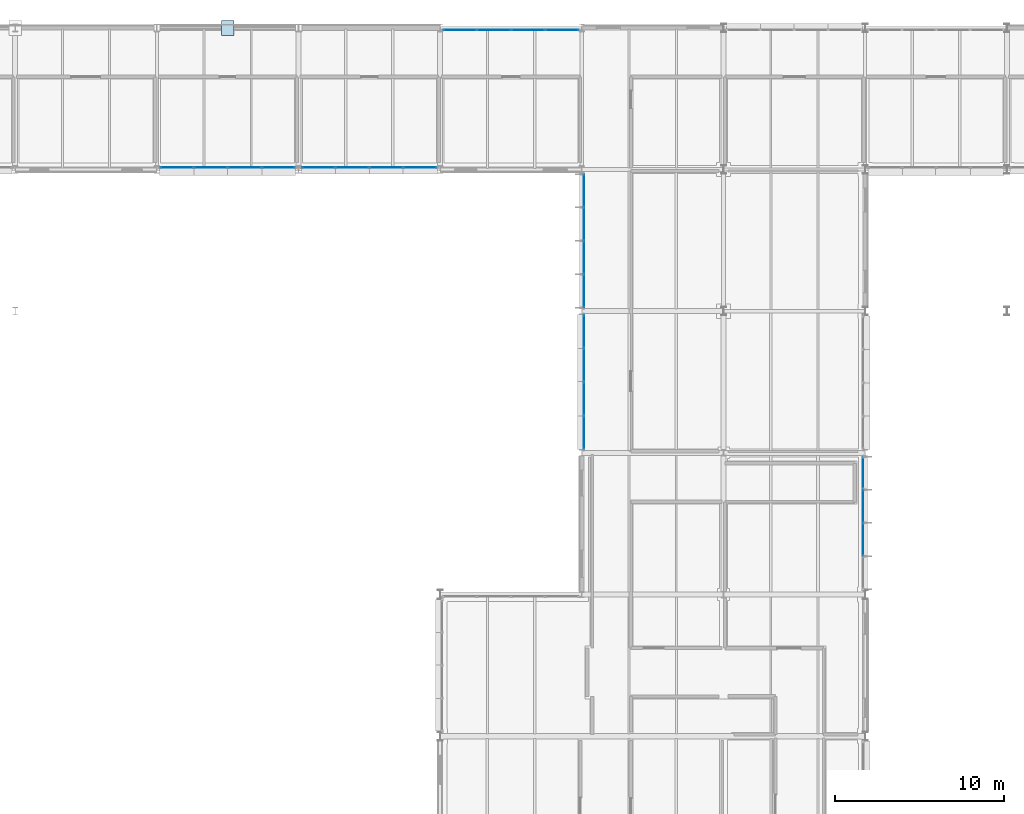
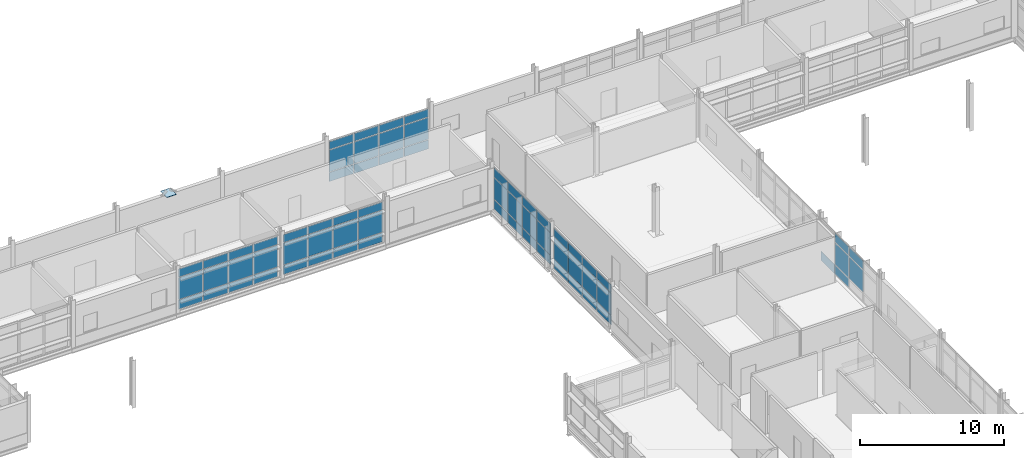
# One storey, part 100 of 131: 67 plates, 6 elements without a shape of their own.
"""IFC4 building model written with IfcOpenShell, lengths in metres."""

from ifc_helpers import new_model, si_unit, direction, frame, origin, origin_2d, place, context, subcontext, project, spatial, rectangle, extrude, material, layer, layer_set, type_object, element, aggregate, save


model = new_model("IFC4")

# Units and contexts
model_context = context("Model", 3, precision=1e-05, world=origin(), true_north=direction((0.0, 1.0)))
body_context = subcontext(model_context, "Body", "Model", "MODEL_VIEW")
ifc_project = project(units=[si_unit("LENGTHUNIT", "METRE"), si_unit("AREAUNIT", "SQUARE_METRE"), si_unit("VOLUMEUNIT", "CUBIC_METRE"), si_unit("PLANEANGLEUNIT", "RADIAN"), si_unit("MASSUNIT", "GRAM", prefix="KILO")], contexts=[model_context])

# Site, building, storey
site_placement = place(None, origin())
site = spatial("IfcSite", under=ifc_project, at=site_placement, CompositionType="ELEMENT")
building_placement = place(site_placement, origin())
building = spatial("IfcBuilding", under=site, at=building_placement, Name="Mersafa Astral City Hall", CompositionType="ELEMENT")
storey_placement = place(building_placement, frame((0.0, 0.0, 13.949951171875)))
storey = spatial("IfcBuildingStorey", under=building, at=storey_placement, Name="L03", CompositionType="ELEMENT", Elevation=13.949951171875)

# Curtain wall, plates
ifc_material_1 = material(Name="Anodised bronze aluminium framing", Category="aluminium")
curtain_wall_type_1 = type_object("IfcCurtainWallType", Name="ENV-CW-1", PredefinedType="USERDEFINED", material=ifc_material_1)
curtain_wall_1_placement = place(storey_placement, origin())
curtain_wall_1 = element("IfcCurtainWall", 1, at=curtain_wall_1_placement, inside=storey, type_object=curtain_wall_type_1, Name="L03 Unitised solar curtain wall 156", ObjectType="UNITISED CURTAIN WALL", PredefinedType="USERDEFINED")
ifc_material_2 = material(Name="Solar control low-e double glazing", Category="glass")
ifc_layer_1 = layer(ifc_material_2, 0.028076171875, Name="Solar control low-e double glazing")
ifc_layer_set_1 = layer_set([ifc_layer_1], Name="Solar control low-e double glazing — ENV-CW-PNL-GLZ-1")
plate_type_1 = type_object("IfcPlateType", Name="ENV-CW-PNL-GLZ-1", PredefinedType="CURTAIN_PANEL", material=ifc_layer_set_1)
plate_1_placement = place(storey_placement, frame((117.47998046875, 95.657470703125, 0.8798828125), z_axis=(0.0, 0.0, 1.0), x_axis=(0.0, 1.0, 0.0)))
plate_1 = element("IfcPlate", 2, at=plate_1_placement, type_object=plate_type_1, Name="CW-1 panel 2.2", PredefinedType="CURTAIN_PANEL", context=body_context, shape_type="SweptSolid", body=[
    extrude(rectangle(XDim=1.920166015625, YDim=0.028076171875, at=origin_2d()), origin(), (0.0, 0.0, 1.0), 1.840087890625),
])
plate_2_placement = place(storey_placement, frame((117.47998046875, 95.657470703125, 2.780029296875), z_axis=(0.0, 0.0, 1.0), x_axis=(0.0, 1.0, 0.0)))
plate_2 = element("IfcPlate", 3, at=plate_2_placement, type_object=plate_type_1, Name="CW-1 panel 2.3", PredefinedType="CURTAIN_PANEL", context=body_context, shape_type="SweptSolid", body=[
    extrude(rectangle(XDim=1.920166015625, YDim=0.028076171875, at=origin_2d()), origin(), (0.0, 0.0, 1.0), 0.751953125),
])
plate_3_placement = place(storey_placement, frame((117.47998046875, 97.6376953125, 0.05810546875), z_axis=(0.0, 0.0, 1.0), x_axis=(0.0, 1.0, 0.0)))
plate_3 = element("IfcPlate", 4, at=plate_3_placement, type_object=plate_type_1, Name="CW-1 panel 3.1", PredefinedType="CURTAIN_PANEL", context=body_context, shape_type="SweptSolid", body=[
    extrude(rectangle(XDim=1.920166015625, YDim=0.028076171875, at=origin_2d()), origin(), (0.0, 0.0, 1.0), 0.761962890625),
])
plate_4_placement = place(storey_placement, frame((117.47998046875, 97.6376953125, 0.8798828125), z_axis=(0.0, 0.0, 1.0), x_axis=(0.0, 1.0, 0.0)))
plate_4 = element("IfcPlate", 5, at=plate_4_placement, type_object=plate_type_1, Name="CW-1 panel 3.2", PredefinedType="CURTAIN_PANEL", context=body_context, shape_type="SweptSolid", body=[
    extrude(rectangle(XDim=1.920166015625, YDim=0.028076171875, at=origin_2d()), origin(), (0.0, 0.0, 1.0), 1.840087890625),
])
plate_5_placement = place(storey_placement, frame((117.47998046875, 97.6376953125, 2.780029296875), z_axis=(0.0, 0.0, 1.0), x_axis=(0.0, 1.0, 0.0)))
plate_5 = element("IfcPlate", 6, at=plate_5_placement, type_object=plate_type_1, Name="CW-1 panel 3.3", PredefinedType="CURTAIN_PANEL", context=body_context, shape_type="SweptSolid", body=[
    extrude(rectangle(XDim=1.920166015625, YDim=0.028076171875, at=origin_2d()), origin(), (0.0, 0.0, 1.0), 0.751953125),
])
plate_6_placement = place(storey_placement, frame((117.47998046875, 99.602783203125, 0.05810546875), z_axis=(0.0, 0.0, 1.0), x_axis=(0.0, 1.0, 0.0)))
plate_6 = element("IfcPlate", 7, at=plate_6_placement, type_object=plate_type_1, Name="CW-1 panel 4.1", PredefinedType="CURTAIN_PANEL", context=body_context, shape_type="SweptSolid", body=[
    extrude(rectangle(XDim=1.89013671875, YDim=0.028076171875, at=origin_2d()), origin(), (0.0, 0.0, 1.0), 0.761962890625),
])
aggregate(curtain_wall_1, [plate_1, plate_2, plate_3, plate_4, plate_5, plate_6])

curtain_wall_2_placement = place(storey_placement, origin())
curtain_wall_2 = element("IfcCurtainWall", 8, at=curtain_wall_2_placement, inside=storey, type_object=curtain_wall_type_1, Name="L03 Unitised solar curtain wall 180", ObjectType="UNITISED CURTAIN WALL", PredefinedType="USERDEFINED")
plate_7_placement = place(storey_placement, frame((76.78662109375, 117.719970703125, 0.05810546875), z_axis=(0.0, 0.0, 1.0), x_axis=(1.0, 0.0, 0.0)))
plate_7 = element("IfcPlate", 9, at=plate_7_placement, type_object=plate_type_1, Name="CW-1 panel 1.1", PredefinedType="CURTAIN_PANEL", context=body_context, shape_type="SweptSolid", body=[
    extrude(rectangle(XDim=1.928955078125, YDim=0.028076171875, at=origin_2d()), origin(), (0.0, 0.0, 1.0), 0.761962890625),
])
plate_8_placement = place(storey_placement, frame((76.78662109375, 117.719970703125, 0.8798828125), z_axis=(0.0, 0.0, 1.0), x_axis=(1.0, 0.0, 0.0)))
plate_8 = element("IfcPlate", 10, at=plate_8_placement, type_object=plate_type_1, Name="CW-1 panel 1.2", PredefinedType="CURTAIN_PANEL", context=body_context, shape_type="SweptSolid", body=[
    extrude(rectangle(XDim=1.928955078125, YDim=0.028076171875, at=origin_2d()), origin(), (0.0, 0.0, 1.0), 1.840087890625),
])
plate_9_placement = place(storey_placement, frame((76.78662109375, 117.719970703125, 2.780029296875), z_axis=(0.0, 0.0, 1.0), x_axis=(1.0, 0.0, 0.0)))
plate_9 = element("IfcPlate", 11, at=plate_9_placement, type_object=plate_type_1, Name="CW-1 panel 1.3", PredefinedType="CURTAIN_PANEL", context=body_context, shape_type="SweptSolid", body=[
    extrude(rectangle(XDim=1.928955078125, YDim=0.028076171875, at=origin_2d()), origin(), (0.0, 0.0, 1.0), 0.69189453125),
])
plate_10_placement = place(storey_placement, frame((78.79052734375, 117.719970703125, 0.05810546875), z_axis=(0.0, 0.0, 1.0), x_axis=(1.0, 0.0, 0.0)))
plate_10 = element("IfcPlate", 12, at=plate_10_placement, type_object=plate_type_1, Name="CW-1 panel 2.1", PredefinedType="CURTAIN_PANEL", context=body_context, shape_type="SweptSolid", body=[
    extrude(rectangle(XDim=1.958984375, YDim=0.028076171875, at=origin_2d()), origin(), (0.0, 0.0, 1.0), 0.761962890625),
])
plate_11_placement = place(storey_placement, frame((78.79052734375, 117.719970703125, 0.8798828125), z_axis=(0.0, 0.0, 1.0), x_axis=(1.0, 0.0, 0.0)))
plate_11 = element("IfcPlate", 13, at=plate_11_placement, type_object=plate_type_1, Name="CW-1 panel 2.2", PredefinedType="CURTAIN_PANEL", context=body_context, shape_type="SweptSolid", body=[
    extrude(rectangle(XDim=1.958984375, YDim=0.028076171875, at=origin_2d()), origin(), (0.0, 0.0, 1.0), 1.840087890625),
])
plate_12_placement = place(storey_placement, frame((78.79052734375, 117.719970703125, 2.780029296875), z_axis=(0.0, 0.0, 1.0), x_axis=(1.0, 0.0, 0.0)))
plate_12 = element("IfcPlate", 14, at=plate_12_placement, type_object=plate_type_1, Name="CW-1 panel 2.3", PredefinedType="CURTAIN_PANEL", context=body_context, shape_type="SweptSolid", body=[
    extrude(rectangle(XDim=1.958984375, YDim=0.028076171875, at=origin_2d()), origin(), (0.0, 0.0, 1.0), 0.69189453125),
])
plate_13_placement = place(storey_placement, frame((80.8095703125, 117.719970703125, 0.05810546875), z_axis=(0.0, 0.0, 1.0), x_axis=(1.0, 0.0, 0.0)))
plate_13 = element("IfcPlate", 15, at=plate_13_placement, type_object=plate_type_1, Name="CW-1 panel 3.1", PredefinedType="CURTAIN_PANEL", context=body_context, shape_type="SweptSolid", body=[
    extrude(rectangle(XDim=1.958984375, YDim=0.028076171875, at=origin_2d()), origin(), (0.0, 0.0, 1.0), 0.761962890625),
])
plate_14_placement = place(storey_placement, frame((80.8095703125, 117.719970703125, 0.8798828125), z_axis=(0.0, 0.0, 1.0), x_axis=(1.0, 0.0, 0.0)))
plate_14 = element("IfcPlate", 16, at=plate_14_placement, type_object=plate_type_1, Name="CW-1 panel 3.2", PredefinedType="CURTAIN_PANEL", context=body_context, shape_type="SweptSolid", body=[
    extrude(rectangle(XDim=1.958984375, YDim=0.028076171875, at=origin_2d()), origin(), (0.0, 0.0, 1.0), 1.840087890625),
])
plate_15_placement = place(storey_placement, frame((80.8095703125, 117.719970703125, 2.780029296875), z_axis=(0.0, 0.0, 1.0), x_axis=(1.0, 0.0, 0.0)))
plate_15 = element("IfcPlate", 17, at=plate_15_placement, type_object=plate_type_1, Name="CW-1 panel 3.3", PredefinedType="CURTAIN_PANEL", context=body_context, shape_type="SweptSolid", body=[
    extrude(rectangle(XDim=1.958984375, YDim=0.028076171875, at=origin_2d()), origin(), (0.0, 0.0, 1.0), 0.69189453125),
])
plate_16_placement = place(storey_placement, frame((82.8134765625, 117.719970703125, 0.05810546875), z_axis=(0.0, 0.0, 1.0), x_axis=(1.0, 0.0, 0.0)))
plate_16 = element("IfcPlate", 18, at=plate_16_placement, type_object=plate_type_1, Name="CW-1 panel 4.1", PredefinedType="CURTAIN_PANEL", context=body_context, shape_type="SweptSolid", body=[
    extrude(rectangle(XDim=1.928955078125, YDim=0.028076171875, at=origin_2d()), origin(), (0.0, 0.0, 1.0), 0.761962890625),
])
plate_17_placement = place(storey_placement, frame((82.8134765625, 117.719970703125, 0.8798828125), z_axis=(0.0, 0.0, 1.0), x_axis=(1.0, 0.0, 0.0)))
plate_17 = element("IfcPlate", 19, at=plate_17_placement, type_object=plate_type_1, Name="CW-1 panel 4.2", PredefinedType="CURTAIN_PANEL", context=body_context, shape_type="SweptSolid", body=[
    extrude(rectangle(XDim=1.928955078125, YDim=0.028076171875, at=origin_2d()), origin(), (0.0, 0.0, 1.0), 1.840087890625),
])
plate_18_placement = place(storey_placement, frame((82.8134765625, 117.719970703125, 2.780029296875), z_axis=(0.0, 0.0, 1.0), x_axis=(1.0, 0.0, 0.0)))
plate_18 = element("IfcPlate", 20, at=plate_18_placement, type_object=plate_type_1, Name="CW-1 panel 4.3", PredefinedType="CURTAIN_PANEL", context=body_context, shape_type="SweptSolid", body=[
    extrude(rectangle(XDim=1.928955078125, YDim=0.028076171875, at=origin_2d()), origin(), (0.0, 0.0, 1.0), 0.69189453125),
])
aggregate(curtain_wall_2, [plate_7, plate_8, plate_9, plate_10, plate_11, plate_12, plate_13, plate_14, plate_15, plate_16, plate_17, plate_18])

curtain_wall_type_2 = type_object("IfcCurtainWallType", Name="ENV-CW-2", PredefinedType="USERDEFINED", material=ifc_material_1)
curtain_wall_3_placement = place(storey_placement, origin())
curtain_wall_3 = element("IfcCurtainWall", 21, at=curtain_wall_3_placement, inside=storey, type_object=curtain_wall_type_2, Name="L03 Unitised solar curtain wall 181", ObjectType="UNITISED CURTAIN WALL", PredefinedType="USERDEFINED")
ifc_layer_2 = layer(ifc_material_2, 0.031982421875, Name="Solar control low-e double glazing")
ifc_layer_set_2 = layer_set([ifc_layer_2], Name="Solar control low-e double glazing — ENV-CW-PNL-GLZ-2")
plate_type_2 = type_object("IfcPlateType", Name="ENV-CW-PNL-GLZ-2", PredefinedType="CURTAIN_PANEL", material=ifc_layer_set_2)
plate_19_placement = place(storey_placement, frame((85.1865234375, 117.719970703125, 0.05810546875), z_axis=(0.0, 0.0, 1.0), x_axis=(1.0, 0.0, 0.0)))
plate_19 = element("IfcPlate", 22, at=plate_19_placement, type_object=plate_type_2, Name="CW-2 panel 1.1", PredefinedType="CURTAIN_PANEL", context=body_context, shape_type="SweptSolid", body=[
    extrude(rectangle(XDim=1.928955078125, YDim=0.031982421875, at=origin_2d()), origin(), (0.0, 0.0, 1.0), 0.761962890625),
])
plate_20_placement = place(storey_placement, frame((85.1865234375, 117.719970703125, 0.8798828125), z_axis=(0.0, 0.0, 1.0), x_axis=(1.0, 0.0, 0.0)))
plate_20 = element("IfcPlate", 23, at=plate_20_placement, type_object=plate_type_2, Name="CW-2 panel 1.2", PredefinedType="CURTAIN_PANEL", context=body_context, shape_type="SweptSolid", body=[
    extrude(rectangle(XDim=1.928955078125, YDim=0.031982421875, at=origin_2d()), origin(), (0.0, 0.0, 1.0), 1.840087890625),
])
plate_21_placement = place(storey_placement, frame((85.1865234375, 117.719970703125, 2.780029296875), z_axis=(0.0, 0.0, 1.0), x_axis=(1.0, 0.0, 0.0)))
plate_21 = element("IfcPlate", 24, at=plate_21_placement, type_object=plate_type_2, Name="CW-2 panel 1.3", PredefinedType="CURTAIN_PANEL", context=body_context, shape_type="SweptSolid", body=[
    extrude(rectangle(XDim=1.928955078125, YDim=0.031982421875, at=origin_2d()), origin(), (0.0, 0.0, 1.0), 0.662109375),
])
plate_22_placement = place(storey_placement, frame((87.1904296875, 117.719970703125, 0.05810546875), z_axis=(0.0, 0.0, 1.0), x_axis=(1.0, 0.0, 0.0)))
plate_22 = element("IfcPlate", 25, at=plate_22_placement, type_object=plate_type_2, Name="CW-2 panel 2.1", PredefinedType="CURTAIN_PANEL", context=body_context, shape_type="SweptSolid", body=[
    extrude(rectangle(XDim=1.958984375, YDim=0.031982421875, at=origin_2d()), origin(), (0.0, 0.0, 1.0), 0.761962890625),
])
plate_23_placement = place(storey_placement, frame((87.1904296875, 117.719970703125, 0.8798828125), z_axis=(0.0, 0.0, 1.0), x_axis=(1.0, 0.0, 0.0)))
plate_23 = element("IfcPlate", 26, at=plate_23_placement, type_object=plate_type_2, Name="CW-2 panel 2.2", PredefinedType="CURTAIN_PANEL", context=body_context, shape_type="SweptSolid", body=[
    extrude(rectangle(XDim=1.958984375, YDim=0.031982421875, at=origin_2d()), origin(), (0.0, 0.0, 1.0), 1.840087890625),
])
plate_24_placement = place(storey_placement, frame((87.1904296875, 117.719970703125, 2.780029296875), z_axis=(0.0, 0.0, 1.0), x_axis=(1.0, 0.0, 0.0)))
plate_24 = element("IfcPlate", 27, at=plate_24_placement, type_object=plate_type_2, Name="CW-2 panel 2.3", PredefinedType="CURTAIN_PANEL", context=body_context, shape_type="SweptSolid", body=[
    extrude(rectangle(XDim=1.958984375, YDim=0.031982421875, at=origin_2d()), origin(), (0.0, 0.0, 1.0), 0.662109375),
])
plate_25_placement = place(storey_placement, frame((89.20947265625, 117.719970703125, 0.05810546875), z_axis=(0.0, 0.0, 1.0), x_axis=(1.0, 0.0, 0.0)))
plate_25 = element("IfcPlate", 28, at=plate_25_placement, type_object=plate_type_2, Name="CW-2 panel 3.1", PredefinedType="CURTAIN_PANEL", context=body_context, shape_type="SweptSolid", body=[
    extrude(rectangle(XDim=1.958984375, YDim=0.031982421875, at=origin_2d()), origin(), (0.0, 0.0, 1.0), 0.761962890625),
])
plate_26_placement = place(storey_placement, frame((89.20947265625, 117.719970703125, 0.8798828125), z_axis=(0.0, 0.0, 1.0), x_axis=(1.0, 0.0, 0.0)))
plate_26 = element("IfcPlate", 29, at=plate_26_placement, type_object=plate_type_2, Name="CW-2 panel 3.2", PredefinedType="CURTAIN_PANEL", context=body_context, shape_type="SweptSolid", body=[
    extrude(rectangle(XDim=1.958984375, YDim=0.031982421875, at=origin_2d()), origin(), (0.0, 0.0, 1.0), 1.840087890625),
])
plate_27_placement = place(storey_placement, frame((89.20947265625, 117.719970703125, 2.780029296875), z_axis=(0.0, 0.0, 1.0), x_axis=(1.0, 0.0, 0.0)))
plate_27 = element("IfcPlate", 30, at=plate_27_placement, type_object=plate_type_2, Name="CW-2 panel 3.3", PredefinedType="CURTAIN_PANEL", context=body_context, shape_type="SweptSolid", body=[
    extrude(rectangle(XDim=1.958984375, YDim=0.031982421875, at=origin_2d()), origin(), (0.0, 0.0, 1.0), 0.662109375),
])
plate_28_placement = place(storey_placement, frame((91.21337890625, 117.719970703125, 0.05810546875), z_axis=(0.0, 0.0, 1.0), x_axis=(1.0, 0.0, 0.0)))
plate_28 = element("IfcPlate", 31, at=plate_28_placement, type_object=plate_type_2, Name="CW-2 panel 4.1", PredefinedType="CURTAIN_PANEL", context=body_context, shape_type="SweptSolid", body=[
    extrude(rectangle(XDim=1.928955078125, YDim=0.031982421875, at=origin_2d()), origin(), (0.0, 0.0, 1.0), 0.761962890625),
])
plate_29_placement = place(storey_placement, frame((91.21337890625, 117.719970703125, 0.8798828125), z_axis=(0.0, 0.0, 1.0), x_axis=(1.0, 0.0, 0.0)))
plate_29 = element("IfcPlate", 32, at=plate_29_placement, type_object=plate_type_2, Name="CW-2 panel 4.2", PredefinedType="CURTAIN_PANEL", context=body_context, shape_type="SweptSolid", body=[
    extrude(rectangle(XDim=1.928955078125, YDim=0.031982421875, at=origin_2d()), origin(), (0.0, 0.0, 1.0), 1.840087890625),
])
plate_30_placement = place(storey_placement, frame((91.21337890625, 117.719970703125, 2.780029296875), z_axis=(0.0, 0.0, 1.0), x_axis=(1.0, 0.0, 0.0)))
plate_30 = element("IfcPlate", 33, at=plate_30_placement, type_object=plate_type_2, Name="CW-2 panel 4.3", PredefinedType="CURTAIN_PANEL", context=body_context, shape_type="SweptSolid", body=[
    extrude(rectangle(XDim=1.928955078125, YDim=0.031982421875, at=origin_2d()), origin(), (0.0, 0.0, 1.0), 0.662109375),
])
aggregate(curtain_wall_3, [plate_19, plate_20, plate_21, plate_22, plate_23, plate_24, plate_25, plate_26, plate_27, plate_28, plate_29, plate_30])

curtain_wall_type_3 = type_object("IfcCurtainWallType", Name="ENV-CW-3", PredefinedType="USERDEFINED", material=ifc_material_1)
curtain_wall_4_placement = place(storey_placement, origin())
curtain_wall_4 = element("IfcCurtainWall", 34, at=curtain_wall_4_placement, inside=storey, type_object=curtain_wall_type_3, Name="L03 Unitised solar curtain wall 170", ObjectType="UNITISED CURTAIN WALL", PredefinedType="USERDEFINED")
ifc_layer_3 = layer(ifc_material_2, 0.035888671875, Name="Solar control low-e double glazing")
ifc_layer_set_3 = layer_set([ifc_layer_3], Name="Solar control low-e double glazing — ENV-CW-PNL-GLZ-3")
plate_type_3 = type_object("IfcPlateType", Name="ENV-CW-PNL-GLZ-3", PredefinedType="CURTAIN_PANEL", material=ifc_layer_set_3)
plate_31_placement = place(storey_placement, frame((99.613525390625, 125.8798828125, 0.05810546875), z_axis=(0.0, 0.0, 1.0), x_axis=(-1.0, 0.0, 0.0)))
plate_31 = element("IfcPlate", 35, at=plate_31_placement, type_object=plate_type_3, Name="CW-3 panel 1.1", PredefinedType="CURTAIN_PANEL", context=body_context, shape_type="SweptSolid", body=[
    extrude(rectangle(XDim=1.928955078125, YDim=0.035888671875, at=origin_2d()), origin(), (0.0, 0.0, 1.0), 0.761962890625),
])
plate_32_placement = place(storey_placement, frame((99.613525390625, 125.8798828125, 0.8798828125), z_axis=(0.0, 0.0, 1.0), x_axis=(-1.0, 0.0, 0.0)))
plate_32 = element("IfcPlate", 36, at=plate_32_placement, type_object=plate_type_3, Name="CW-3 panel 1.2", PredefinedType="CURTAIN_PANEL", context=body_context, shape_type="SweptSolid", body=[
    extrude(rectangle(XDim=1.928955078125, YDim=0.035888671875, at=origin_2d()), origin(), (0.0, 0.0, 1.0), 1.840087890625),
])
plate_33_placement = place(storey_placement, frame((99.613525390625, 125.8798828125, 2.780029296875), z_axis=(0.0, 0.0, 1.0), x_axis=(-1.0, 0.0, 0.0)))
plate_33 = element("IfcPlate", 37, at=plate_33_placement, type_object=plate_type_3, Name="CW-3 panel 1.3", PredefinedType="CURTAIN_PANEL", context=body_context, shape_type="SweptSolid", body=[
    extrude(rectangle(XDim=1.928955078125, YDim=0.035888671875, at=origin_2d()), origin(), (0.0, 0.0, 1.0), 0.662109375),
])
plate_34_placement = place(storey_placement, frame((97.609619140625, 125.8798828125, 0.05810546875), z_axis=(0.0, 0.0, 1.0), x_axis=(-1.0, 0.0, 0.0)))
plate_34 = element("IfcPlate", 38, at=plate_34_placement, type_object=plate_type_3, Name="CW-3 panel 2.1", PredefinedType="CURTAIN_PANEL", context=body_context, shape_type="SweptSolid", body=[
    extrude(rectangle(XDim=1.958984375, YDim=0.035888671875, at=origin_2d()), origin(), (0.0, 0.0, 1.0), 0.761962890625),
])
plate_35_placement = place(storey_placement, frame((97.609619140625, 125.8798828125, 0.8798828125), z_axis=(0.0, 0.0, 1.0), x_axis=(-1.0, 0.0, 0.0)))
plate_35 = element("IfcPlate", 39, at=plate_35_placement, type_object=plate_type_3, Name="CW-3 panel 2.2", PredefinedType="CURTAIN_PANEL", context=body_context, shape_type="SweptSolid", body=[
    extrude(rectangle(XDim=1.958984375, YDim=0.035888671875, at=origin_2d()), origin(), (0.0, 0.0, 1.0), 1.840087890625),
])
plate_36_placement = place(storey_placement, frame((97.609619140625, 125.8798828125, 2.780029296875), z_axis=(0.0, 0.0, 1.0), x_axis=(-1.0, 0.0, 0.0)))
plate_36 = element("IfcPlate", 40, at=plate_36_placement, type_object=plate_type_3, Name="CW-3 panel 2.3", PredefinedType="CURTAIN_PANEL", context=body_context, shape_type="SweptSolid", body=[
    extrude(rectangle(XDim=1.958984375, YDim=0.035888671875, at=origin_2d()), origin(), (0.0, 0.0, 1.0), 0.662109375),
])
plate_37_placement = place(storey_placement, frame((95.590576171875, 125.8798828125, 0.05810546875), z_axis=(0.0, 0.0, 1.0), x_axis=(-1.0, 0.0, 0.0)))
plate_37 = element("IfcPlate", 41, at=plate_37_placement, type_object=plate_type_3, Name="CW-3 panel 3.1", PredefinedType="CURTAIN_PANEL", context=body_context, shape_type="SweptSolid", body=[
    extrude(rectangle(XDim=1.958984375, YDim=0.035888671875, at=origin_2d()), origin(), (0.0, 0.0, 1.0), 0.761962890625),
])
plate_38_placement = place(storey_placement, frame((95.590576171875, 125.8798828125, 0.8798828125), z_axis=(0.0, 0.0, 1.0), x_axis=(-1.0, 0.0, 0.0)))
plate_38 = element("IfcPlate", 42, at=plate_38_placement, type_object=plate_type_3, Name="CW-3 panel 3.2", PredefinedType="CURTAIN_PANEL", context=body_context, shape_type="SweptSolid", body=[
    extrude(rectangle(XDim=1.958984375, YDim=0.035888671875, at=origin_2d()), origin(), (0.0, 0.0, 1.0), 1.840087890625),
])
plate_39_placement = place(storey_placement, frame((95.590576171875, 125.8798828125, 2.780029296875), z_axis=(0.0, 0.0, 1.0), x_axis=(-1.0, 0.0, 0.0)))
plate_39 = element("IfcPlate", 43, at=plate_39_placement, type_object=plate_type_3, Name="CW-3 panel 3.3", PredefinedType="CURTAIN_PANEL", context=body_context, shape_type="SweptSolid", body=[
    extrude(rectangle(XDim=1.958984375, YDim=0.035888671875, at=origin_2d()), origin(), (0.0, 0.0, 1.0), 0.662109375),
])
plate_40_placement = place(storey_placement, frame((93.58642578125, 125.8798828125, 0.05810546875), z_axis=(0.0, 0.0, 1.0), x_axis=(-1.0, 0.0, 0.0)))
plate_40 = element("IfcPlate", 44, at=plate_40_placement, type_object=plate_type_3, Name="CW-3 panel 4.1", PredefinedType="CURTAIN_PANEL", context=body_context, shape_type="SweptSolid", body=[
    extrude(rectangle(XDim=1.928955078125, YDim=0.035888671875, at=origin_2d()), origin(), (0.0, 0.0, 1.0), 0.761962890625),
])
plate_41_placement = place(storey_placement, frame((93.58642578125, 125.8798828125, 0.8798828125), z_axis=(0.0, 0.0, 1.0), x_axis=(-1.0, 0.0, 0.0)))
plate_41 = element("IfcPlate", 45, at=plate_41_placement, type_object=plate_type_3, Name="CW-3 panel 4.2", PredefinedType="CURTAIN_PANEL", context=body_context, shape_type="SweptSolid", body=[
    extrude(rectangle(XDim=1.928955078125, YDim=0.035888671875, at=origin_2d()), origin(), (0.0, 0.0, 1.0), 1.840087890625),
])
plate_42_placement = place(storey_placement, frame((93.58642578125, 125.8798828125, 2.780029296875), z_axis=(0.0, 0.0, 1.0), x_axis=(-1.0, 0.0, 0.0)))
plate_42 = element("IfcPlate", 46, at=plate_42_placement, type_object=plate_type_3, Name="CW-3 panel 4.3", PredefinedType="CURTAIN_PANEL", context=body_context, shape_type="SweptSolid", body=[
    extrude(rectangle(XDim=1.928955078125, YDim=0.035888671875, at=origin_2d()), origin(), (0.0, 0.0, 1.0), 0.662109375),
])
aggregate(curtain_wall_4, [plate_31, plate_32, plate_33, plate_34, plate_35, plate_36, plate_37, plate_38, plate_39, plate_40, plate_41, plate_42])

curtain_wall_5_placement = place(storey_placement, origin())
curtain_wall_5 = element("IfcCurtainWall", 47, at=curtain_wall_5_placement, inside=storey, type_object=curtain_wall_type_3, Name="L03 Unitised solar curtain wall 182", ObjectType="UNITISED CURTAIN WALL", PredefinedType="USERDEFINED")
plate_43_placement = place(storey_placement, frame((100.919921875, 116.350341796875, 0.05810546875), z_axis=(0.0, 0.0, 1.0), x_axis=(0.0, -1.0, 0.0)))
plate_43 = element("IfcPlate", 48, at=plate_43_placement, type_object=plate_type_3, Name="CW-3 panel 1.1", PredefinedType="CURTAIN_PANEL", context=body_context, shape_type="SweptSolid", body=[
    extrude(rectangle(XDim=1.9052734375, YDim=0.035888671875, at=origin_2d()), origin(), (0.0, 0.0, 1.0), 0.761962890625),
])
plate_44_placement = place(storey_placement, frame((100.919921875, 116.350341796875, 0.8798828125), z_axis=(0.0, 0.0, 1.0), x_axis=(0.0, -1.0, 0.0)))
plate_44 = element("IfcPlate", 49, at=plate_44_placement, type_object=plate_type_3, Name="CW-3 panel 1.2", PredefinedType="CURTAIN_PANEL", context=body_context, shape_type="SweptSolid", body=[
    extrude(rectangle(XDim=1.9052734375, YDim=0.035888671875, at=origin_2d()), origin(), (0.0, 0.0, 1.0), 1.840087890625),
])
plate_45_placement = place(storey_placement, frame((100.919921875, 116.350341796875, 2.780029296875), z_axis=(0.0, 0.0, 1.0), x_axis=(0.0, -1.0, 0.0)))
plate_45 = element("IfcPlate", 50, at=plate_45_placement, type_object=plate_type_3, Name="CW-3 panel 1.3", PredefinedType="CURTAIN_PANEL", context=body_context, shape_type="SweptSolid", body=[
    extrude(rectangle(XDim=1.9052734375, YDim=0.035888671875, at=origin_2d()), origin(), (0.0, 0.0, 1.0), 0.751953125),
])
plate_46_placement = place(storey_placement, frame((100.919921875, 114.3701171875, 0.05810546875), z_axis=(0.0, 0.0, 1.0), x_axis=(0.0, -1.0, 0.0)))
plate_46 = element("IfcPlate", 51, at=plate_46_placement, type_object=plate_type_3, Name="CW-3 panel 2.1", PredefinedType="CURTAIN_PANEL", context=body_context, shape_type="SweptSolid", body=[
    extrude(rectangle(XDim=1.935302734375, YDim=0.035888671875, at=origin_2d()), origin(), (0.0, 0.0, 1.0), 0.761962890625),
])
plate_47_placement = place(storey_placement, frame((100.919921875, 114.3701171875, 0.8798828125), z_axis=(0.0, 0.0, 1.0), x_axis=(0.0, -1.0, 0.0)))
plate_47 = element("IfcPlate", 52, at=plate_47_placement, type_object=plate_type_3, Name="CW-3 panel 2.2", PredefinedType="CURTAIN_PANEL", context=body_context, shape_type="SweptSolid", body=[
    extrude(rectangle(XDim=1.935302734375, YDim=0.035888671875, at=origin_2d()), origin(), (0.0, 0.0, 1.0), 1.840087890625),
])
plate_48_placement = place(storey_placement, frame((100.919921875, 114.3701171875, 2.780029296875), z_axis=(0.0, 0.0, 1.0), x_axis=(0.0, -1.0, 0.0)))
plate_48 = element("IfcPlate", 53, at=plate_48_placement, type_object=plate_type_3, Name="CW-3 panel 2.3", PredefinedType="CURTAIN_PANEL", context=body_context, shape_type="SweptSolid", body=[
    extrude(rectangle(XDim=1.935302734375, YDim=0.035888671875, at=origin_2d()), origin(), (0.0, 0.0, 1.0), 0.751953125),
])
plate_49_placement = place(storey_placement, frame((100.919921875, 112.374755859375, 0.05810546875), z_axis=(0.0, 0.0, 1.0), x_axis=(0.0, -1.0, 0.0)))
plate_49 = element("IfcPlate", 54, at=plate_49_placement, type_object=plate_type_3, Name="CW-3 panel 3.1", PredefinedType="CURTAIN_PANEL", context=body_context, shape_type="SweptSolid", body=[
    extrude(rectangle(XDim=1.935302734375, YDim=0.035888671875, at=origin_2d()), origin(), (0.0, 0.0, 1.0), 0.761962890625),
])
plate_50_placement = place(storey_placement, frame((100.919921875, 112.374755859375, 0.8798828125), z_axis=(0.0, 0.0, 1.0), x_axis=(0.0, -1.0, 0.0)))
plate_50 = element("IfcPlate", 55, at=plate_50_placement, type_object=plate_type_3, Name="CW-3 panel 3.2", PredefinedType="CURTAIN_PANEL", context=body_context, shape_type="SweptSolid", body=[
    extrude(rectangle(XDim=1.935302734375, YDim=0.035888671875, at=origin_2d()), origin(), (0.0, 0.0, 1.0), 1.840087890625),
])
plate_51_placement = place(storey_placement, frame((100.919921875, 112.374755859375, 2.780029296875), z_axis=(0.0, 0.0, 1.0), x_axis=(0.0, -1.0, 0.0)))
plate_51 = element("IfcPlate", 56, at=plate_51_placement, type_object=plate_type_3, Name="CW-3 panel 3.3", PredefinedType="CURTAIN_PANEL", context=body_context, shape_type="SweptSolid", body=[
    extrude(rectangle(XDim=1.935302734375, YDim=0.035888671875, at=origin_2d()), origin(), (0.0, 0.0, 1.0), 0.751953125),
])
plate_52_placement = place(storey_placement, frame((100.919921875, 110.39453125, 0.05810546875), z_axis=(0.0, 0.0, 1.0), x_axis=(0.0, -1.0, 0.0)))
plate_52 = element("IfcPlate", 57, at=plate_52_placement, type_object=plate_type_3, Name="CW-3 panel 4.1", PredefinedType="CURTAIN_PANEL", context=body_context, shape_type="SweptSolid", body=[
    extrude(rectangle(XDim=1.9052734375, YDim=0.035888671875, at=origin_2d()), origin(), (0.0, 0.0, 1.0), 0.761962890625),
])
plate_53_placement = place(storey_placement, frame((100.919921875, 110.39453125, 0.8798828125), z_axis=(0.0, 0.0, 1.0), x_axis=(0.0, -1.0, 0.0)))
plate_53 = element("IfcPlate", 58, at=plate_53_placement, type_object=plate_type_3, Name="CW-3 panel 4.2", PredefinedType="CURTAIN_PANEL", context=body_context, shape_type="SweptSolid", body=[
    extrude(rectangle(XDim=1.9052734375, YDim=0.035888671875, at=origin_2d()), origin(), (0.0, 0.0, 1.0), 1.840087890625),
])
plate_54_placement = place(storey_placement, frame((100.919921875, 110.39453125, 2.780029296875), z_axis=(0.0, 0.0, 1.0), x_axis=(0.0, -1.0, 0.0)))
plate_54 = element("IfcPlate", 59, at=plate_54_placement, type_object=plate_type_3, Name="CW-3 panel 4.3", PredefinedType="CURTAIN_PANEL", context=body_context, shape_type="SweptSolid", body=[
    extrude(rectangle(XDim=1.9052734375, YDim=0.035888671875, at=origin_2d()), origin(), (0.0, 0.0, 1.0), 0.751953125),
])
aggregate(curtain_wall_5, [plate_43, plate_44, plate_45, plate_46, plate_47, plate_48, plate_49, plate_50, plate_51, plate_52, plate_53, plate_54])

curtain_wall_type_4 = type_object("IfcCurtainWallType", Name="ENV-CW-4", PredefinedType="USERDEFINED", material=ifc_material_1)
curtain_wall_6_placement = place(storey_placement, origin())
curtain_wall_6 = element("IfcCurtainWall", 60, at=curtain_wall_6_placement, inside=storey, type_object=curtain_wall_type_4, Name="L03 Unitised solar curtain wall 183", ObjectType="UNITISED CURTAIN WALL", PredefinedType="USERDEFINED")
ifc_layer_4 = layer(ifc_material_2, 0.0400390625, Name="Solar control low-e double glazing")
ifc_layer_set_4 = layer_set([ifc_layer_4], Name="Solar control low-e double glazing — ENV-CW-PNL-GLZ-4")
plate_type_4 = type_object("IfcPlateType", Name="ENV-CW-PNL-GLZ-4", PredefinedType="CURTAIN_PANEL", material=ifc_layer_set_4)
plate_55_placement = place(storey_placement, frame((100.919921875, 107.999755859375, 0.05810546875), z_axis=(0.0, 0.0, 1.0), x_axis=(0.0, -1.0, 0.0)))
plate_55 = element("IfcPlate", 61, at=plate_55_placement, type_object=plate_type_4, Name="CW-4 panel 1.1", PredefinedType="CURTAIN_PANEL", context=body_context, shape_type="SweptSolid", body=[
    extrude(rectangle(XDim=1.91650390625, YDim=0.0400390625, at=origin_2d()), origin(), (0.0, 0.0, 1.0), 0.761962890625),
])
plate_56_placement = place(storey_placement, frame((100.919921875, 107.999755859375, 0.8798828125), z_axis=(0.0, 0.0, 1.0), x_axis=(0.0, -1.0, 0.0)))
plate_56 = element("IfcPlate", 62, at=plate_56_placement, type_object=plate_type_4, Name="CW-4 panel 1.2", PredefinedType="CURTAIN_PANEL", context=body_context, shape_type="SweptSolid", body=[
    extrude(rectangle(XDim=1.91650390625, YDim=0.0400390625, at=origin_2d()), origin(), (0.0, 0.0, 1.0), 1.840087890625),
])
plate_57_placement = place(storey_placement, frame((100.919921875, 107.999755859375, 2.780029296875), z_axis=(0.0, 0.0, 1.0), x_axis=(0.0, -1.0, 0.0)))
plate_57 = element("IfcPlate", 63, at=plate_57_placement, type_object=plate_type_4, Name="CW-4 panel 1.3", PredefinedType="CURTAIN_PANEL", context=body_context, shape_type="SweptSolid", body=[
    extrude(rectangle(XDim=1.91650390625, YDim=0.0400390625, at=origin_2d()), origin(), (0.0, 0.0, 1.0), 0.662109375),
])
plate_58_placement = place(storey_placement, frame((100.919921875, 106.00830078125, 0.05810546875), z_axis=(0.0, 0.0, 1.0), x_axis=(0.0, -1.0, 0.0)))
plate_58 = element("IfcPlate", 64, at=plate_58_placement, type_object=plate_type_4, Name="CW-4 panel 2.1", PredefinedType="CURTAIN_PANEL", context=body_context, shape_type="SweptSolid", body=[
    extrude(rectangle(XDim=1.946533203125, YDim=0.0400390625, at=origin_2d()), origin(), (0.0, 0.0, 1.0), 0.761962890625),
])
plate_59_placement = place(storey_placement, frame((100.919921875, 106.00830078125, 0.8798828125), z_axis=(0.0, 0.0, 1.0), x_axis=(0.0, -1.0, 0.0)))
plate_59 = element("IfcPlate", 65, at=plate_59_placement, type_object=plate_type_4, Name="CW-4 panel 2.2", PredefinedType="CURTAIN_PANEL", context=body_context, shape_type="SweptSolid", body=[
    extrude(rectangle(XDim=1.946533203125, YDim=0.0400390625, at=origin_2d()), origin(), (0.0, 0.0, 1.0), 1.840087890625),
])
plate_60_placement = place(storey_placement, frame((100.919921875, 106.00830078125, 2.780029296875), z_axis=(0.0, 0.0, 1.0), x_axis=(0.0, -1.0, 0.0)))
plate_60 = element("IfcPlate", 66, at=plate_60_placement, type_object=plate_type_4, Name="CW-4 panel 2.3", PredefinedType="CURTAIN_PANEL", context=body_context, shape_type="SweptSolid", body=[
    extrude(rectangle(XDim=1.946533203125, YDim=0.0400390625, at=origin_2d()), origin(), (0.0, 0.0, 1.0), 0.662109375),
])
plate_61_placement = place(storey_placement, frame((100.919921875, 104.001708984375, 0.05810546875), z_axis=(0.0, 0.0, 1.0), x_axis=(0.0, -1.0, 0.0)))
plate_61 = element("IfcPlate", 67, at=plate_61_placement, type_object=plate_type_4, Name="CW-4 panel 3.1", PredefinedType="CURTAIN_PANEL", context=body_context, shape_type="SweptSolid", body=[
    extrude(rectangle(XDim=1.946533203125, YDim=0.0400390625, at=origin_2d()), origin(), (0.0, 0.0, 1.0), 0.761962890625),
])
plate_62_placement = place(storey_placement, frame((100.919921875, 104.001708984375, 0.8798828125), z_axis=(0.0, 0.0, 1.0), x_axis=(0.0, -1.0, 0.0)))
plate_62 = element("IfcPlate", 68, at=plate_62_placement, type_object=plate_type_4, Name="CW-4 panel 3.2", PredefinedType="CURTAIN_PANEL", context=body_context, shape_type="SweptSolid", body=[
    extrude(rectangle(XDim=1.946533203125, YDim=0.0400390625, at=origin_2d()), origin(), (0.0, 0.0, 1.0), 1.840087890625),
])
plate_63_placement = place(storey_placement, frame((100.919921875, 104.001708984375, 2.780029296875), z_axis=(0.0, 0.0, 1.0), x_axis=(0.0, -1.0, 0.0)))
plate_63 = element("IfcPlate", 69, at=plate_63_placement, type_object=plate_type_4, Name="CW-4 panel 3.3", PredefinedType="CURTAIN_PANEL", context=body_context, shape_type="SweptSolid", body=[
    extrude(rectangle(XDim=1.946533203125, YDim=0.0400390625, at=origin_2d()), origin(), (0.0, 0.0, 1.0), 0.662109375),
])
plate_64_placement = place(storey_placement, frame((100.919921875, 102.01025390625, 0.05810546875), z_axis=(0.0, 0.0, 1.0), x_axis=(0.0, -1.0, 0.0)))
plate_64 = element("IfcPlate", 70, at=plate_64_placement, type_object=plate_type_4, Name="CW-4 panel 4.1", PredefinedType="CURTAIN_PANEL", context=body_context, shape_type="SweptSolid", body=[
    extrude(rectangle(XDim=1.91650390625, YDim=0.0400390625, at=origin_2d()), origin(), (0.0, 0.0, 1.0), 0.761962890625),
])
plate_65_placement = place(storey_placement, frame((100.919921875, 102.01025390625, 0.8798828125), z_axis=(0.0, 0.0, 1.0), x_axis=(0.0, -1.0, 0.0)))
plate_65 = element("IfcPlate", 71, at=plate_65_placement, type_object=plate_type_4, Name="CW-4 panel 4.2", PredefinedType="CURTAIN_PANEL", context=body_context, shape_type="SweptSolid", body=[
    extrude(rectangle(XDim=1.91650390625, YDim=0.0400390625, at=origin_2d()), origin(), (0.0, 0.0, 1.0), 1.840087890625),
])
plate_66_placement = place(storey_placement, frame((100.919921875, 102.01025390625, 2.780029296875), z_axis=(0.0, 0.0, 1.0), x_axis=(0.0, -1.0, 0.0)))
plate_66 = element("IfcPlate", 72, at=plate_66_placement, type_object=plate_type_4, Name="CW-4 panel 4.3", PredefinedType="CURTAIN_PANEL", context=body_context, shape_type="SweptSolid", body=[
    extrude(rectangle(XDim=1.91650390625, YDim=0.0400390625, at=origin_2d()), origin(), (0.0, 0.0, 1.0), 0.662109375),
])
aggregate(curtain_wall_6, [plate_55, plate_56, plate_57, plate_58, plate_59, plate_60, plate_61, plate_62, plate_63, plate_64, plate_65, plate_66])

# Plate
ifc_material_3 = material(Name="Steel S355", Category="steel")
ifc_layer_5 = layer(ifc_material_3, 0.030029296875, Name="Steel S355")
ifc_layer_set_5 = layer_set([ifc_layer_5], Name="Steel S355 — STR-PLT-NP-17")
plate_type_5 = type_object("IfcPlateType", Name="STR-PLT-NP-17", PredefinedType="SHEET", material=ifc_layer_set_5)
plate_67_placement = place(storey_placement, frame((79.800048828125, 126.0, 3.5), z_axis=(0.0, 0.0, 1.0), x_axis=(1.0, 0.0, 0.0)))
element("IfcPlate", 73, at=plate_67_placement, inside=storey, type_object=plate_type_5, Name="L03 Structural steel brace gusset plate NP-17", PredefinedType="SHEET", context=body_context, shape_type="SweptSolid", body=[
    extrude(rectangle(XDim=0.760009765625, YDim=0.8798828125, at=origin_2d()), origin(), (0.0, 0.0, 1.0), 0.030029296875),
])

save(model, "model.ifc")
